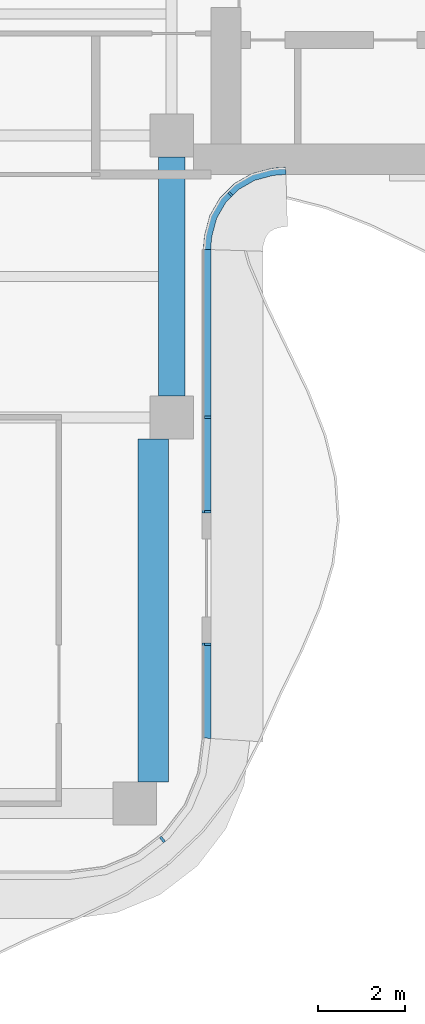
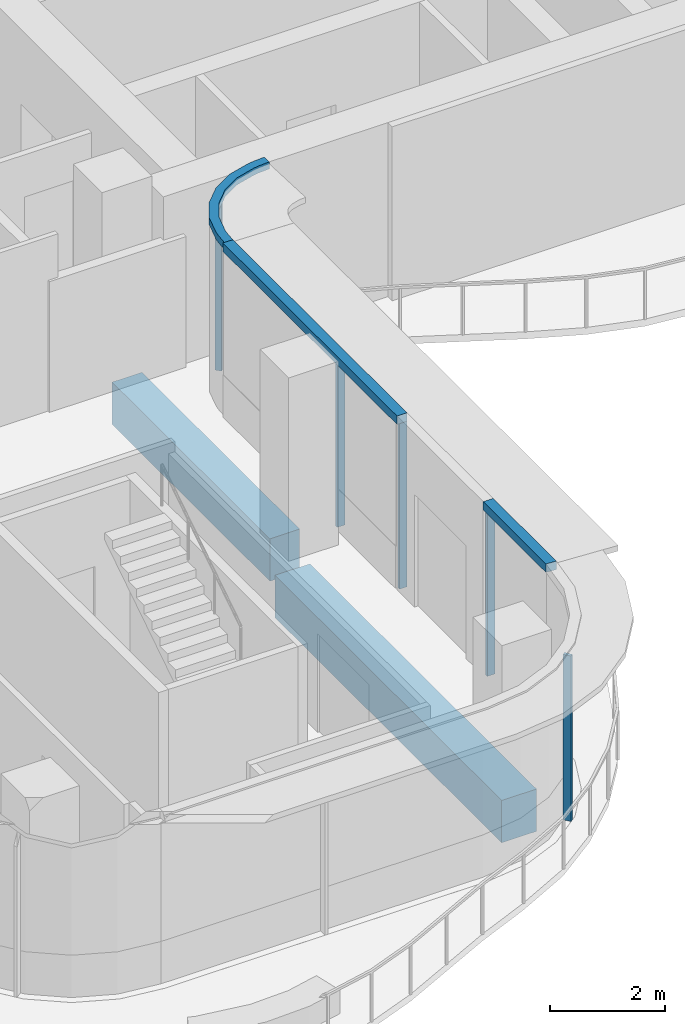
# One storey, part 5 of 16: 8 members, 2 beams, 4 elements without a shape of their own.
"""IFC4 building model written with IfcOpenShell, lengths in metres."""

from ifc_helpers import new_model, si_unit, direction, frame, origin, origin_2d, place, context, subcontext, project, spatial, polyline, rectangle, outline, extrude, source, transform, mapped, material, layer, layer_set, material_profile, profile_set, type_object, element, aggregate, save


model = new_model("IFC4")

# Units and contexts
model_context = context("Model", 3, precision=1e-05, world=origin(), true_north=direction((0.0, 1.0)))
body_context = subcontext(model_context, "Body", "Model", "MODEL_VIEW")
ifc_project = project(units=[si_unit("LENGTHUNIT", "METRE"), si_unit("AREAUNIT", "SQUARE_METRE"), si_unit("VOLUMEUNIT", "CUBIC_METRE"), si_unit("PLANEANGLEUNIT", "RADIAN"), si_unit("MASSUNIT", "GRAM", prefix="KILO")], contexts=[model_context])

# Site, building, storey
site_placement = place(None, origin())
site = spatial("IfcSite", under=ifc_project, at=site_placement, CompositionType="ELEMENT")
building_placement = place(site_placement, origin())
building = spatial("IfcBuilding", under=site, at=building_placement, Name="Trellis Farm Tower", CompositionType="ELEMENT")
storey_placement = place(building_placement, frame((0.0, 0.0, 318.39990234375)))
storey = spatial("IfcBuildingStorey", under=building, at=storey_placement, Name="L72", CompositionType="ELEMENT", Elevation=318.39990234375)

# Beams
ifc_material_1 = material(Name="Concrete C60/75", Category="concrete")
ifc_material_profile_1 = material_profile(ifc_material_1, rectangle(XDim=0.60009765625, YDim=0.89990234375, at=origin_2d()), Name="RC spandrel beam 600x900 C60/75")
ifc_profile_set_1 = profile_set([ifc_material_profile_1], Name="Concrete C60/75")
beam_type_1 = type_object("IfcBeamType", Name="RC spandrel beam 600x900 C60/75", PredefinedType="SPANDREL", material=ifc_profile_set_1)
shared_shape_1 = source(origin(), body_context, "Body", "SweptSolid", [
    extrude(rectangle(XDim=0.60009765625, YDim=0.89990234375, at=origin_2d()), origin(), (0.0, 0.0, 1.0), 5.5),
])
beam_1_placement = place(storey_placement, frame((5.60009765625, -11.60009765625, -0.64990234375), z_axis=(0.0, 1.0, 0.0), x_axis=(-1.0, 0.0, 0.0)))
element("IfcBeam", 1, at=beam_1_placement, inside=storey, type_object=beam_type_1, Name="Girder", PredefinedType="SPANDREL", context=body_context, shape_type="MappedRepresentation", body=[
    mapped(shared_shape_1, transform((0.0, 0.0, 0.0))),
])
ifc_material_profile_2 = material_profile(ifc_material_1, rectangle(XDim=0.699951171875, YDim=0.89990234375, at=origin_2d()), Name="RC spandrel beam 700x900 C60/75")
ifc_profile_set_2 = profile_set([ifc_material_profile_2], Name="Concrete C60/75")
beam_type_2 = type_object("IfcBeamType", Name="RC spandrel beam 700x900 C60/75", PredefinedType="SPANDREL", material=ifc_profile_set_2)
shared_shape_2 = source(origin(), body_context, "Body", "SweptSolid", [
    extrude(rectangle(XDim=0.699951171875, YDim=0.89990234375, at=origin_2d()), origin(), (0.0, 0.0, 1.0), 7.89990234375),
])
beam_2_placement = place(storey_placement, frame((5.175048828125, -20.5, -0.64990234375), z_axis=(0.0, 1.0, 0.0), x_axis=(-1.0, 0.0, 0.0)))
element("IfcBeam", 2, at=beam_2_placement, inside=storey, type_object=beam_type_2, Name="Girder", PredefinedType="SPANDREL", context=body_context, shape_type="MappedRepresentation", body=[
    mapped(shared_shape_2, transform((0.0, 0.0, 0.0))),
])

# Curtain wall, member
ifc_material_2 = material(Name="Aluminium and glass curtain wall", Category="aluminium")
ifc_layer_1 = layer(ifc_material_2, 0.18994140625)
ifc_layer_set_1 = layer_set([ifc_layer_1], Name="RIBBON CURTAIN WALL CW1")
curtain_wall_type_1 = type_object("IfcCurtainWallType", Name="RIBBON CURTAIN WALL CW1", PredefinedType="NOTDEFINED", material=ifc_layer_set_1)
placement_1 = place(storey_placement, origin())
curtain_wall_1 = element("IfcCurtainWall", 3, at=placement_1, inside=storey, type_object=curtain_wall_type_1, Name="CW1 003", PredefinedType="NOTDEFINED")
ifc_material_3 = material(Name="Aluminium extrusion 6063-T6", Category="aluminium")
ifc_material_profile_3 = material_profile(ifc_material_3, rectangle(XDim=0.06005859375, YDim=0.14990234375, at=origin_2d()), Name="MULLION 60x150")
ifc_profile_set_3 = profile_set([ifc_material_profile_3], Name="Aluminium extrusion 6063-T6")
member_type_1 = type_object("IfcMemberType", Name="CW1 MULLION 60x150", PredefinedType="MULLION", material=ifc_profile_set_3)
shared_shape_3 = source(origin(), body_context, "Body", "SweptSolid", [
    extrude(rectangle(XDim=0.06005859375, YDim=0.14990234375, at=origin_2d()), origin(), (0.0, 0.0, 1.0), 3.52001953125),
])
member_1_placement = place(storey_placement, frame((5.385498046875, -21.828369140625, 0.0), z_axis=(0.0, 0.0, 1.0), x_axis=(0.793353340291, 0.608761429009, 0.0)))
member_1 = element("IfcMember", 4, at=member_1_placement, type_object=member_type_1, Name="MU1 003-02", PredefinedType="MULLION", context=body_context, shape_type="MappedRepresentation", body=[
    mapped(shared_shape_3, transform((0.0, 0.0, 0.0))),
])
aggregate(curtain_wall_1, [member_1])

curtain_wall_2 = element("IfcCurtainWall", 5, at=placement_1, inside=storey, type_object=curtain_wall_type_1, Name="CW1 004", PredefinedType="NOTDEFINED")
member_2_placement = place(storey_placement, frame((6.425048828125, -17.330078125, 0.0), z_axis=(0.0, 0.0, 1.0), x_axis=(0.0, 1.0, 0.0)))
member_2 = element("IfcMember", 6, at=member_2_placement, type_object=member_type_1, Name="MU1 004-01", PredefinedType="MULLION", context=body_context, shape_type="MappedRepresentation", body=[
    mapped(shared_shape_3, transform((0.0, 0.0, 0.0))),
])

# Curtain wall, members
curtain_wall_3 = element("IfcCurtainWall", 7, at=placement_1, inside=storey, type_object=curtain_wall_type_1, Name="CW1 005", PredefinedType="NOTDEFINED")
member_3_placement = place(storey_placement, frame((6.425048828125, -14.27001953125, 0.0), z_axis=(0.0, 0.0, 1.0), x_axis=(0.0, 1.0, 0.0)))
member_3 = element("IfcMember", 8, at=member_3_placement, type_object=member_type_1, Name="MU1 005-01", PredefinedType="MULLION", context=body_context, shape_type="MappedRepresentation", body=[
    mapped(shared_shape_3, transform((0.0, 0.0, 0.0))),
])
member_4_placement = place(storey_placement, frame((6.425048828125, -12.10009765625, 0.0), z_axis=(0.0, 0.0, 1.0), x_axis=(0.0, 1.0, 0.0)))
member_4 = element("IfcMember", 9, at=member_4_placement, type_object=member_type_1, Name="MU1 005-02", PredefinedType="MULLION", context=body_context, shape_type="MappedRepresentation", body=[
    mapped(shared_shape_3, transform((0.0, 0.0, 0.0))),
])

ifc_layer_2 = layer(ifc_material_2, 0.166015625)
ifc_layer_set_2 = layer_set([ifc_layer_2], Name="WINTER GARDEN CURTAIN WALL CW3")
curtain_wall_type_2 = type_object("IfcCurtainWallType", Name="WINTER GARDEN CURTAIN WALL CW3", PredefinedType="NOTDEFINED", material=ifc_layer_set_2)
curtain_wall_4 = element("IfcCurtainWall", 10, at=placement_1, inside=storey, type_object=curtain_wall_type_2, Name="CW3 002", PredefinedType="NOTDEFINED")
ifc_material_profile_4 = material_profile(ifc_material_3, rectangle(XDim=0.050048828125, YDim=0.1201171875, at=origin_2d()), Name="MULLION 50x120")
ifc_profile_set_4 = profile_set([ifc_material_profile_4], Name="Aluminium extrusion 6063-T6")
member_type_2 = type_object("IfcMemberType", Name="CW3 MULLION 50x120", PredefinedType="MULLION", material=ifc_profile_set_4)
shared_shape_4 = source(origin(), body_context, "Body", "SweptSolid", [
    extrude(rectangle(XDim=0.050048828125, YDim=0.1201171875, at=origin_2d()), origin(), (0.0, 0.0, 1.0), 3.550048828125),
])
member_5_placement = place(storey_placement, frame((6.953125, -6.953125, 0.0), z_axis=(0.0, 0.0, 1.0), x_axis=(0.707106781187, 0.707106781187, 0.0)))
member_5 = element("IfcMember", 11, at=member_5_placement, type_object=member_type_2, Name="MU3 002-01", PredefinedType="MULLION", context=body_context, shape_type="MappedRepresentation", body=[
    mapped(shared_shape_4, transform((0.0, 0.0, 0.0))),
])
ifc_layer_3 = layer(ifc_material_3, 0.169921875)
ifc_layer_set_3 = layer_set([ifc_layer_3], Name="Aluminium extrusion 6063-T6")
member_type_3 = type_object("IfcMemberType", Name="CW3 TRANSOM 170x150", PredefinedType="USERDEFINED", material=ifc_layer_set_3)
shared_shape_5 = source(origin(), body_context, "Body", "SweptSolid", [
    extrude(outline(polyline([(6.5, -8.2314453125), (6.513916015625, -8.01953125), (6.527587890625, -7.91552734375), (6.63671875, -7.508544921875), (6.846923828125, -7.144287109375), (7.144287109375, -6.846923828125), (7.508544921875, -6.63671875), (7.91552734375, -6.527587890625), (8.01953125, -6.513916015625), (8.2314453125, -6.5), (8.225830078125, -6.330078125), (8.0029296875, -6.3447265625), (7.88232421875, -6.360595703125), (7.44287109375, -6.478271484375), (7.0400390625, -6.7109375), (6.7109375, -7.0400390625), (6.478271484375, -7.44287109375), (6.360595703125, -7.88232421875), (6.3447265625, -8.0029296875), (6.330078125, -8.225830078125), (6.5, -8.2314453125)])), origin(), (0.0, 0.0, 1.0), 0.150146484375),
])
member_6_placement = place(storey_placement, frame((0.0, 0.0, 3.550048828125)))
member_6 = element("IfcMember", 12, at=member_6_placement, type_object=member_type_3, Name="TR3 002", ObjectType="TRANSOM", PredefinedType="USERDEFINED", context=body_context, shape_type="MappedRepresentation", body=[
    mapped(shared_shape_5, transform((0.0, 0.0, 0.0))),
])
aggregate(curtain_wall_4, [member_5, member_6])

# Member
ifc_layer_4 = layer(ifc_material_3, 0.199951171875)
ifc_layer_set_4 = layer_set([ifc_layer_4], Name="Aluminium extrusion 6063-T6")
member_type_4 = type_object("IfcMemberType", Name="CW1 TRANSOM 200x180", PredefinedType="USERDEFINED", material=ifc_layer_set_4)
shared_shape_6 = source(origin(), body_context, "Body", "SweptSolid", [
    extrude(outline(polyline([(6.5, -19.5), (6.5, -17.300048828125), (6.300048828125, -17.300048828125), (6.300048828125, -19.48681640625), (6.5, -19.5)])), origin(), (0.0, 0.0, 1.0), 0.18017578125),
])
placement_2 = place(storey_placement, frame((0.0, 0.0, 3.52001953125)))
member_7 = element("IfcMember", 13, at=placement_2, type_object=member_type_4, Name="TR1 004", ObjectType="TRANSOM", PredefinedType="USERDEFINED", context=body_context, shape_type="MappedRepresentation", body=[
    mapped(shared_shape_6, transform((0.0, 0.0, 0.0))),
])

aggregate(curtain_wall_2, [member_2, member_7])

shared_shape_7 = source(origin(), body_context, "Body", "SweptSolid", [
    extrude(outline(polyline([(6.5, -14.300048828125), (6.5, -8.2314453125), (6.300048828125, -8.224853515625), (6.300048828125, -14.300048828125), (6.5, -14.300048828125)])), origin(), (0.0, 0.0, 1.0), 0.18017578125),
])
member_8 = element("IfcMember", 14, at=placement_2, type_object=member_type_4, Name="TR1 005", ObjectType="TRANSOM", PredefinedType="USERDEFINED", context=body_context, shape_type="MappedRepresentation", body=[
    mapped(shared_shape_7, transform((0.0, 0.0, 0.0))),
])

aggregate(curtain_wall_3, [member_3, member_4, member_8])

save(model, "model.ifc")
